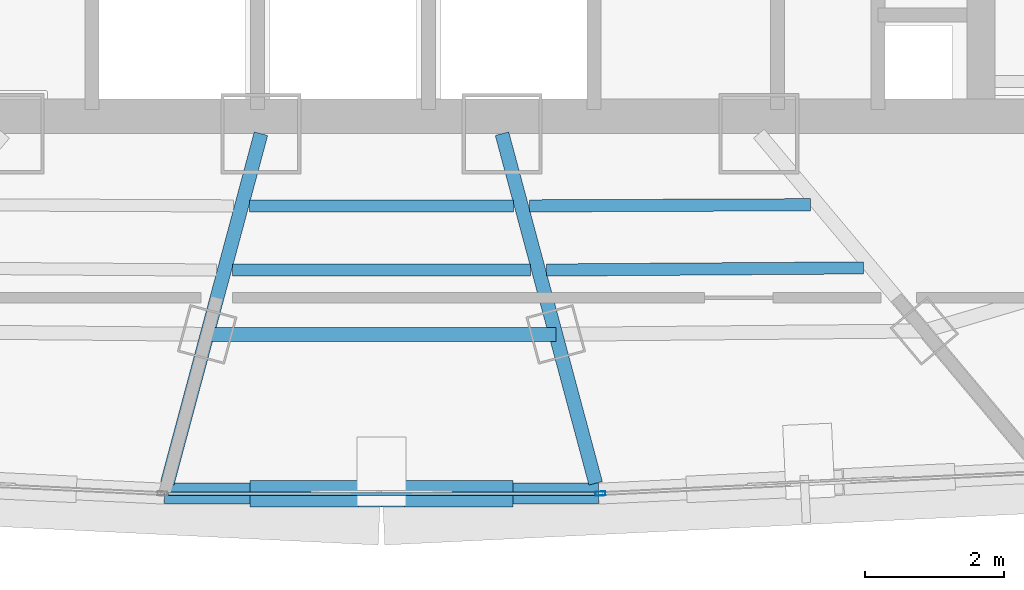
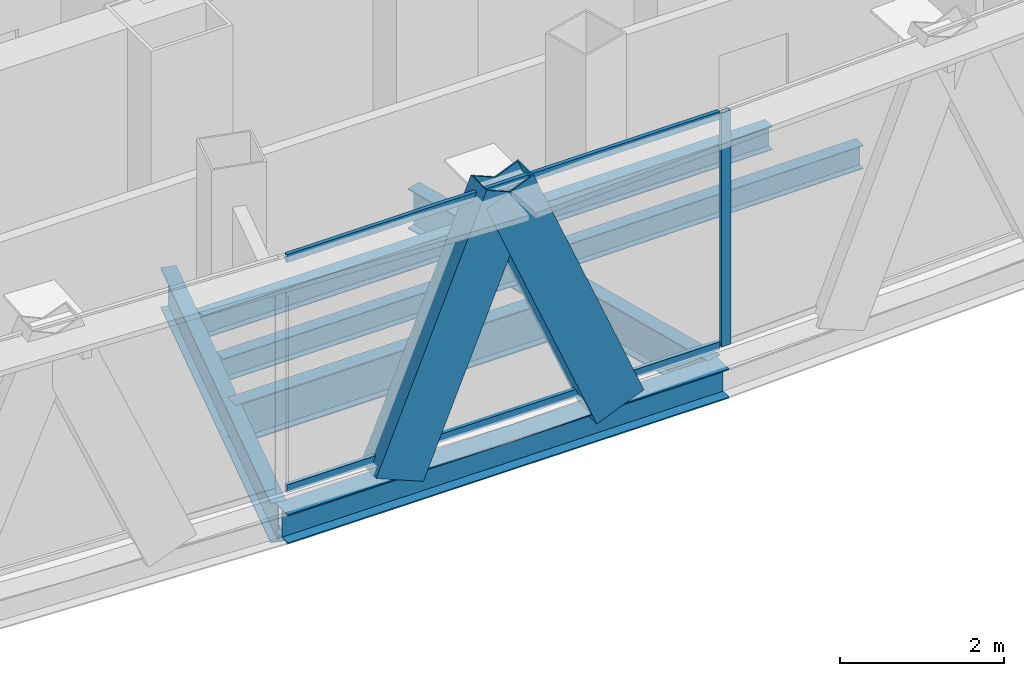
# One storey, part 5 of 30: 8 beams, 5 members, 2 elements without a shape of their own.
"""IFC4 building model written with IfcOpenShell, lengths in metres."""

from ifc_helpers import new_model, si_unit, direction, frame, origin, origin_2d, place, context, subcontext, project, spatial, hollow_rectangle, i_section, extrude, source, transform, mapped, material, layer, layer_set, material_profile, profile_set, type_object, element, aggregate, save


model = new_model("IFC4")

# Units and contexts
model_context = context("Model", 3, precision=1e-05, world=origin(), true_north=direction((0.0, 1.0)))
body_context = subcontext(model_context, "Body", "Model", "MODEL_VIEW")
ifc_project = project(units=[si_unit("LENGTHUNIT", "METRE"), si_unit("AREAUNIT", "SQUARE_METRE"), si_unit("VOLUMEUNIT", "CUBIC_METRE"), si_unit("PLANEANGLEUNIT", "RADIAN"), si_unit("MASSUNIT", "GRAM", prefix="KILO"), si_unit("THERMODYNAMICTEMPERATUREUNIT", "KELVIN"), si_unit("POWERUNIT", "WATT")], contexts=[model_context])

# Site, building, storey
site_placement = place(None, origin())
site = spatial("IfcSite", under=ifc_project, at=site_placement, CompositionType="ELEMENT")
building_placement = place(site_placement, origin())
building = spatial("IfcBuilding", under=site, at=building_placement, Name="Yunzhuo Pagoda Commons", CompositionType="ELEMENT")
storey_placement = place(building_placement, frame((0.0, 0.0, 355.510009765625)))
storey = spatial("IfcBuildingStorey", under=building, at=storey_placement, Name="L89", CompositionType="ELEMENT", Elevation=355.510009765625)

# Beams
ifc_material_1 = material(Name="Structural steel Q355B", Category="steel")
ifc_material_profile_1 = material_profile(ifc_material_1, i_section(OverallWidth=0.199951171875, OverallDepth=0.60009765625, WebThickness=0.010986328125, FlangeThickness=0.01708984375, at=origin_2d()), Name="Structural steel Q355B")
ifc_profile_set_1 = profile_set([ifc_material_profile_1], Name="Structural steel Q355B")
beam_type_1 = type_object("IfcBeamType", Name="B-RG3 Beam HN 600x200x11x17", PredefinedType="BEAM", material=ifc_profile_set_1)
shared_shape_1 = source(origin(), body_context, "Body", "SweptSolid", [
    extrude(i_section(OverallWidth=0.199951171875, OverallDepth=0.60009765625, WebThickness=0.010986328125, FlangeThickness=0.01708984375, at=origin_2d()), origin(), (0.0, 0.0, 1.0), 4.99853515625),
])
beam_1_placement = place(storey_placement, frame((45.500732421875, 24.372802734375, -0.56005859375), z_axis=(1.0, 0.0, 0.0), x_axis=(0.0, 1.0, 0.0)))
element("IfcBeam", 1, at=beam_1_placement, inside=storey, type_object=beam_type_1, Name="L89 column-ring beam 2", PredefinedType="BEAM", context=body_context, shape_type="MappedRepresentation", body=[
    mapped(shared_shape_1, transform((0.0, 0.0, 0.0), scale=1.0)),
])
ifc_material_profile_2 = material_profile(ifc_material_1, i_section(OverallWidth=0.175048828125, OverallDepth=0.35009765625, WebThickness=0.007080078125, FlangeThickness=0.010986328125, at=origin_2d()), Name="Structural steel Q355B")
ifc_profile_set_2 = profile_set([ifc_material_profile_2], Name="Structural steel Q355B")
beam_type_2 = type_object("IfcBeamType", Name="B-JS2 Joist HN 350x175x7x11", PredefinedType="JOIST", material=ifc_profile_set_2)
shared_shape_2 = source(origin(), body_context, "Body", "SweptSolid", [
    extrude(i_section(OverallWidth=0.175048828125, OverallDepth=0.35009765625, WebThickness=0.007080078125, FlangeThickness=0.010986328125, at=origin_2d()), origin(), (0.0, 0.0, 1.0), 4.03076171875),
])
beam_2_placement = place(storey_placement, frame((50.120849609375, 26.214599609375, -0.43505859375), z_axis=(0.999991518197, 0.004118680996, 0.0), x_axis=(-0.004118680996, 0.999991518197, 0.0)))
element("IfcBeam", 2, at=beam_2_placement, inside=storey, type_object=beam_type_2, Name="L89 composite ring joist 1.3", PredefinedType="JOIST", context=body_context, shape_type="MappedRepresentation", body=[
    mapped(shared_shape_2, transform((0.0, 0.0, 0.0), scale=1.0)),
])
shared_shape_3 = source(origin(), body_context, "Body", "SweptSolid", [
    extrude(i_section(OverallWidth=0.175048828125, OverallDepth=0.35009765625, WebThickness=0.007080078125, FlangeThickness=0.010986328125, at=origin_2d()), origin(), (0.0, 0.0, 1.0), 4.54345703125),
])
beam_3_placement = place(storey_placement, frame((50.367431640625, 25.29443359375, -0.43505859375), z_axis=(0.999975976237, 0.006931590593, 0.0), x_axis=(-0.006931590593, 0.999975976237, 0.0)))
element("IfcBeam", 3, at=beam_3_placement, inside=storey, type_object=beam_type_2, Name="L89 composite ring joist 2.3", PredefinedType="JOIST", context=body_context, shape_type="MappedRepresentation", body=[
    mapped(shared_shape_3, transform((0.0, 0.0, 0.0), scale=1.0)),
])
shared_shape_4 = source(origin(), body_context, "Body", "SweptSolid", [
    extrude(i_section(OverallWidth=0.175048828125, OverallDepth=0.35009765625, WebThickness=0.007080078125, FlangeThickness=0.010986328125, at=origin_2d()), origin(), (0.0, 0.0, 1.0), 3.78173828125),
])
beam_4_placement = place(storey_placement, frame((46.109130859375, 26.214111328125, -0.43505859375), z_axis=(1.0, 0.0, 0.0), x_axis=(0.0, 1.0, 0.0)))
element("IfcBeam", 4, at=beam_4_placement, inside=storey, type_object=beam_type_2, Name="L89 composite ring joist 1.2", PredefinedType="JOIST", context=body_context, shape_type="MappedRepresentation", body=[
    mapped(shared_shape_4, transform((0.0, 0.0, 0.0), scale=1.0)),
])
shared_shape_5 = source(origin(), body_context, "Body", "SweptSolid", [
    extrude(i_section(OverallWidth=0.175048828125, OverallDepth=0.35009765625, WebThickness=0.007080078125, FlangeThickness=0.010986328125, at=origin_2d()), origin(), (0.0, 0.0, 1.0), 4.27490234375),
])
beam_5_placement = place(storey_placement, frame((45.862548828125, 25.29345703125, -0.43505859375), z_axis=(1.0, 0.0, 0.0), x_axis=(0.0, 1.0, 0.0)))
element("IfcBeam", 5, at=beam_5_placement, inside=storey, type_object=beam_type_2, Name="L89 composite ring joist 2.2", PredefinedType="JOIST", context=body_context, shape_type="MappedRepresentation", body=[
    mapped(shared_shape_5, transform((0.0, 0.0, 0.0), scale=1.0)),
])
shared_shape_6 = source(origin(), body_context, "Body", "SweptSolid", [
    extrude(i_section(OverallWidth=0.199951171875, OverallDepth=0.60009765625, WebThickness=0.010986328125, FlangeThickness=0.01708984375, at=origin_2d()), origin(), (0.0, 0.0, 1.0), 5.189453125),
])
for number, where, z_axis, x_axis, name in (
    (6, (44.9287109375, 22.2373046875, -0.56005859375), (0.258839551131, 0.965920331482, 0.0), (-0.965920331482, 0.258839551131, 0.0), "L89 radial floor girder F1C2"),
    (7, (51.0712890625, 22.2373046875, -0.56005859375), (-0.258751762449, 0.96594385211, 0.0), (-0.96594385211, -0.258751762449, 0.0), "L89 radial floor girder F1C3"),
):
    element("IfcBeam", number, at=place(storey_placement, frame(where, z_axis=z_axis, x_axis=x_axis)), inside=storey, type_object=beam_type_1, Name=name, PredefinedType="BEAM", context=body_context, shape_type="MappedRepresentation", body=[
        mapped(shared_shape_6, transform((0.0, 0.0, 0.0), scale=1.0)),
    ])
ifc_material_profile_3 = material_profile(ifc_material_1, i_section(OverallWidth=0.300048828125, OverallDepth=0.43994140625, WebThickness=0.010986328125, FlangeThickness=0.01806640625, at=origin_2d()), Name="Structural steel Q355B")
ifc_profile_set_3 = profile_set([ifc_material_profile_3], Name="Structural steel Q355B")
beam_type_3 = type_object("IfcBeamType", Name="B-SP2 Beam HM 440x300x11x18", PredefinedType="BEAM", material=ifc_profile_set_3)
shared_shape_7 = source(origin(), body_context, "Body", "SweptSolid", [
    extrude(i_section(OverallWidth=0.300048828125, OverallDepth=0.43994140625, WebThickness=0.010986328125, FlangeThickness=0.01806640625, at=origin_2d()), origin(), (0.0, 0.0, 1.0), 6.22314453125),
])
beam_6_placement = place(storey_placement, frame((44.888427734375, 22.087890625, -0.47998046875), z_axis=(1.0, 0.0, 0.0), x_axis=(0.0, 1.0, 0.0)))
element("IfcBeam", 8, at=beam_6_placement, inside=storey, type_object=beam_type_3, Name="L89 facade edge spandrel beam F1.2", PredefinedType="BEAM", context=body_context, shape_type="MappedRepresentation", body=[
    mapped(shared_shape_7, transform((0.0, 0.0, 0.0), scale=1.0)),
])

# Members
ifc_material_profile_4 = material_profile(ifc_material_1, hollow_rectangle(XDim=0.3798828125, YDim=0.719970703125, WallThickness=0.02001953125, at=origin_2d()), Name="Structural steel Q355B")
ifc_profile_set_4 = profile_set([ifc_material_profile_4], Name="Structural steel Q355B")
member_type_1 = type_object("IfcMemberType", Name="M-DL3 Brace BOX 720x380x20", PredefinedType="BRACE", material=ifc_profile_set_4)
shared_shape_8 = source(origin(), body_context, "Body", "SweptSolid", [
    extrude(hollow_rectangle(XDim=0.3798828125, YDim=0.719970703125, WallThickness=0.02001953125, at=origin_2d()), origin(), (0.0, 0.0, 1.0), 4.06005859375),
])
for number, where, z_axis, x_axis, name in (
    (9, (46.444091796875, 22.087890625, -0.260009765625), (0.383231523716, 0.0, 0.923652315122), (0.0, 1.0, 0.0), "L89 facade diamond brace F1.2L"),
    (10, (49.555908203125, 22.087890625, -0.260009765625), (-0.383231523716, 0.0, 0.923652315122), (0.0, -1.0, 0.0), "L89 facade diamond brace F1.2R"),
):
    element("IfcMember", number, at=place(storey_placement, frame(where, z_axis=z_axis, x_axis=x_axis)), inside=storey, type_object=member_type_1, Name=name, PredefinedType="BRACE", context=body_context, shape_type="MappedRepresentation", body=[
        mapped(shared_shape_8, transform((0.0, 0.0, 0.0), scale=1.0)),
    ])

# Curtain wall, member
ifc_material_2 = material(Name="Anodized aluminium 6063-T6", Category="aluminium")
ifc_layer = layer(ifc_material_2, 0.139892578125)
ifc_layer_set = layer_set([ifc_layer], Name="Anodized aluminium 6063-T6")
curtain_wall_type = type_object("IfcCurtainWallType", Name="CW-HI High-Zone Ribbon Curtain Wall", PredefinedType="NOTDEFINED", material=ifc_layer_set)
curtain_wall_1_placement = place(storey_placement, origin())
curtain_wall_1 = element("IfcCurtainWall", 11, at=curtain_wall_1_placement, inside=storey, type_object=curtain_wall_type, Name="L89 curtain wall CW-L89-F1B4", PredefinedType="NOTDEFINED")
ifc_material_profile_5 = material_profile(ifc_material_2, hollow_rectangle(XDim=0.06005859375, YDim=0.139892578125, WallThickness=0.00341796875, at=origin_2d()), Name="Anodized aluminium 6063-T6")
ifc_profile_set_5 = profile_set([ifc_material_profile_5], Name="Anodized aluminium 6063-T6")
member_type_2 = type_object("IfcMemberType", Name="CW-HI-M Mullion RHS 140x60x3.5", PredefinedType="MULLION", material=ifc_profile_set_5)
shared_shape_9 = source(origin(), body_context, "Body", "SweptSolid", [
    extrude(hollow_rectangle(XDim=0.06005859375, YDim=0.139892578125, WallThickness=0.00341796875, at=origin_2d()), origin(), (0.0, 0.0, 1.0), 3.489990234375),
])
member_1_placement = place(storey_placement, frame((51.141357421875, 22.089111328125, 0.0), z_axis=(0.0, 0.0, 1.0), x_axis=(-0.047859147719, 0.99885409444, 0.0)))
member_1 = element("IfcMember", 12, at=member_1_placement, type_object=member_type_2, Name="CW mullion 1", PredefinedType="MULLION", context=body_context, shape_type="MappedRepresentation", body=[
    mapped(shared_shape_9, transform((0.0, 0.0, 0.0), scale=1.0)),
])
aggregate(curtain_wall_1, [member_1])

# Curtain wall, members
curtain_wall_2_placement = place(storey_placement, origin())
curtain_wall_2 = element("IfcCurtainWall", 13, at=curtain_wall_2_placement, inside=storey, type_object=curtain_wall_type, Name="L89 curtain wall CW-L89-F1B3", PredefinedType="NOTDEFINED")
ifc_material_profile_6 = material_profile(ifc_material_2, hollow_rectangle(XDim=0.054931640625, YDim=0.1201171875, WallThickness=0.00341796875, at=origin_2d()), Name="Anodized aluminium 6063-T6")
ifc_profile_set_6 = profile_set([ifc_material_profile_6], Name="Anodized aluminium 6063-T6")
member_type_3 = type_object("IfcMemberType", Name="CW-HI-T Transom RHS 120x55x3.5", PredefinedType="USERDEFINED", material=ifc_profile_set_6)
shared_shape_10 = source(origin(), body_context, "Body", "SweptSolid", [
    extrude(hollow_rectangle(XDim=0.054931640625, YDim=0.1201171875, WallThickness=0.00341796875, at=origin_2d()), origin(), (0.0, 0.0, 1.0), 6.10302734375),
])
member_2_placement = place(storey_placement, frame((44.948486328125, 22.087890625, 0.027587890625), z_axis=(1.0, 0.0, 0.0), x_axis=(0.0, 1.0, 0.0)))
member_2 = element("IfcMember", 14, at=member_2_placement, type_object=member_type_3, Name="CW transom 1.1", ObjectType="TRANSOM", PredefinedType="USERDEFINED", context=body_context, shape_type="MappedRepresentation", body=[
    mapped(shared_shape_10, transform((0.0, 0.0, 0.0), scale=1.0)),
])
member_3_placement = place(storey_placement, frame((44.948486328125, 22.087890625, 3.46240234375), z_axis=(1.0, 0.0, 0.0), x_axis=(0.0, 1.0, 0.0)))
member_3 = element("IfcMember", 15, at=member_3_placement, type_object=member_type_3, Name="CW transom 1.2", ObjectType="TRANSOM", PredefinedType="USERDEFINED", context=body_context, shape_type="MappedRepresentation", body=[
    mapped(shared_shape_10, transform((0.0, 0.0, 0.0), scale=1.0)),
])
aggregate(curtain_wall_2, [member_2, member_3])

save(model, "model.ifc")
